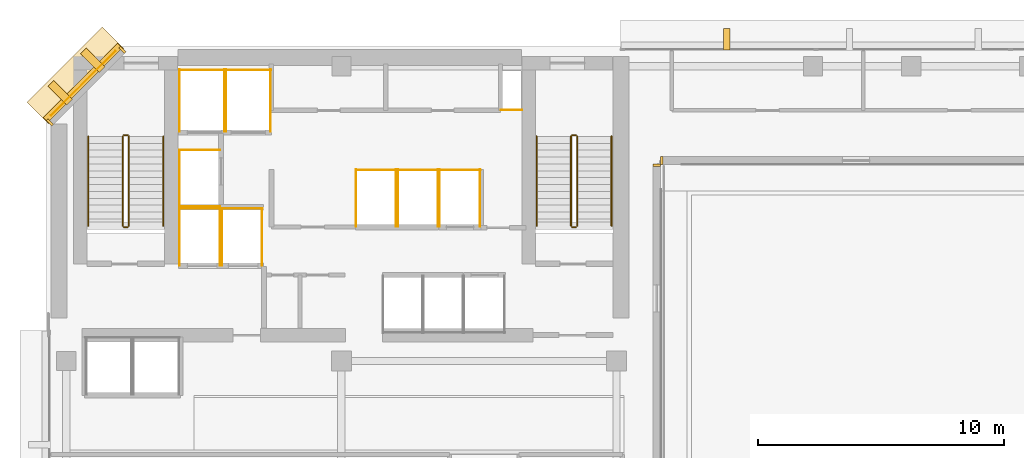
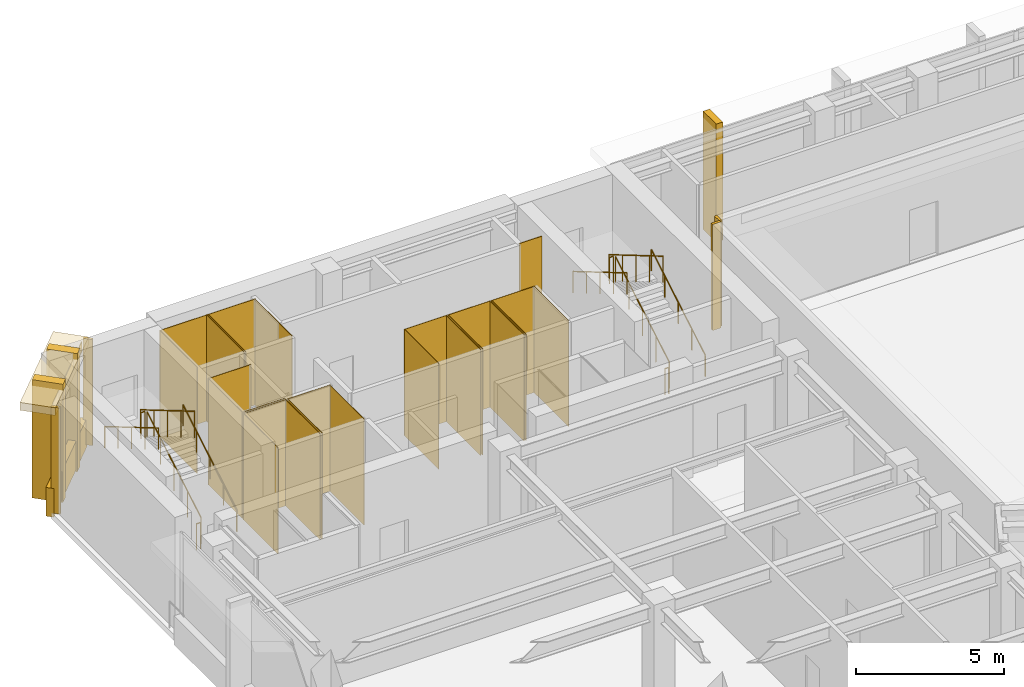
# One storey, part 11 of 12: 35 coverings, 12 railings.
"""IFC4 building model written with IfcOpenShell, lengths in metres."""

from ifc_helpers import new_model, si_unit, direction, frame, origin, origin_2d, place, context, subcontext, project, spatial, polyline, rectangle, circle, outline, extrude, material, layer, layer_set, type_object, element, save


model = new_model("IFC4")

# Units and contexts
model_context = context("Model", 3, precision=1e-05, world=origin(), true_north=direction((0.0, 1.0)))
body_context = subcontext(model_context, "Body", "Model", "MODEL_VIEW")
ifc_project = project(units=[si_unit("LENGTHUNIT", "METRE"), si_unit("AREAUNIT", "SQUARE_METRE"), si_unit("VOLUMEUNIT", "CUBIC_METRE"), si_unit("PLANEANGLEUNIT", "RADIAN"), si_unit("MASSUNIT", "GRAM", prefix="KILO")], contexts=[model_context])

# Site, building, storey
site_placement = place(None, origin())
site = spatial("IfcSite", under=ifc_project, at=site_placement, CompositionType="ELEMENT")
building_placement = place(site_placement, origin())
building = spatial("IfcBuilding", under=site, at=building_placement, Name="Kefirva Bronze Tower", CompositionType="ELEMENT")
storey_placement = place(building_placement, frame((0.0, 0.0, 215.159912109375)))
storey = spatial("IfcBuildingStorey", under=building, at=storey_placement, Name="L52", CompositionType="ELEMENT", Elevation=215.159912109375)

# Coverings
ifc_material_1 = material(Name="Bronze anodised aluminium", Category="aluminium")
ifc_layer_1 = layer(ifc_material_1, 0.02001953125, Name="Bronze anodised aluminium")
ifc_layer_set_1 = layer_set([ifc_layer_1], Name="Bronze anodised aluminium")
covering_type_1 = type_object("IfcCoveringType", Name="Anodised Bronze Spandrel Cladding 20mm", PredefinedType="CLADDING", material=ifc_layer_set_1)
for number, where, z_axis, x_axis, name in (
    (1, (24.840087890625, 41.1650390625, 0.0), (0.0, 0.0, 1.0), (0.0, 1.0, 0.0), "L52 Facade Joint Closure Panel 4E"),
    (2, (25.034912109375, 41.360107421875, 0.0), (0.0, 0.0, 1.0), (1.0, 0.0, 0.0), "L52 Facade Joint Closure Panel 5S"),
):
    element("IfcCovering", number, at=place(storey_placement, frame(where, z_axis=z_axis, x_axis=x_axis)), inside=storey, type_object=covering_type_1, Name=name, PredefinedType="CLADDING", context=body_context, shape_type="SweptSolid", body=[
        extrude(rectangle(XDim=0.10009765625, YDim=0.320068359375, at=origin_2d()), origin(), (0.0, 0.0, 1.0), 4.3701171875),
    ])
covering_1_placement = place(storey_placement, frame((1.492919921875, 44.507080078125, 3.9501953125), z_axis=(0.0, 0.0, 1.0), x_axis=(-0.707106781187, -0.707106781187, 0.0)))
element("IfcCovering", 3, at=covering_1_placement, inside=storey, type_object=covering_type_1, Name="L52 Bronze Spandrel Cladding 11", PredefinedType="CLADDING", context=body_context, shape_type="SweptSolid", body=[
    extrude(rectangle(XDim=3.719482421875, YDim=0.02001953125, at=origin_2d()), origin(), (0.0, 0.0, 1.0), 0.39990234375),
])
for number, where, z_axis, x_axis, name in (
    (4, (3.08837890625, 45.862060546875, 0.0), (0.0, 0.0, 1.0), (-0.707106781187, -0.707106781187, 0.0), "L52 Facade Joint Closure Panel 11S"),
    (5, (0.137939453125, 42.91162109375, 0.0), (0.0, 0.0, 1.0), (-0.707106781187, -0.707106781187, 0.0), "L52 Facade Joint Closure Panel 11E"),
):
    element("IfcCovering", number, at=place(storey_placement, frame(where, z_axis=z_axis, x_axis=x_axis)), inside=storey, type_object=covering_type_1, Name=name, PredefinedType="CLADDING", context=body_context, shape_type="SweptSolid", body=[
        extrude(rectangle(XDim=0.10009765625, YDim=0.320068359375, at=origin_2d()), origin(), (0.0, 0.0, 1.0), 4.3701171875),
    ])
covering_2_placement = place(storey_placement, frame((1.4716796875, 44.5283203125, -0.15966796875), z_axis=(0.0, 0.0, 1.0), x_axis=(-0.707106781187, -0.707106781187, 0.0)))
element("IfcCovering", 6, at=covering_2_placement, inside=storey, type_object=covering_type_1, Name="L52 Streamline Horizontal Spandrel Band 14", PredefinedType="CLADDING", context=body_context, shape_type="SweptSolid", body=[
    extrude(rectangle(XDim=4.28271484375, YDim=0.280029296875, at=origin_2d()), origin(), (0.0, 0.0, 1.0), 1.179931640625),
])
covering_3_placement = place(storey_placement, origin())
element("IfcCovering", 7, at=covering_3_placement, inside=storey, type_object=covering_type_1, Name="L52 Lift FF1 Hoistway Liner N", PredefinedType="CLADDING", context=body_context, shape_type="SweptSolid", body=[
    extrude(outline(polyline([(5.39990234375, 39.389892578125), (7.080078125, 39.389892578125), (7.080078125, 39.409912109375), (5.39990234375, 39.409912109375), (5.39990234375, 39.389892578125)])), origin(), (0.0, 0.0, 1.0), 4.3701171875),
])
covering_4_placement = place(storey_placement, origin())
element("IfcCovering", 8, at=covering_4_placement, inside=storey, type_object=covering_type_1, Name="L52 Lift FF1 Hoistway Liner W", PredefinedType="CLADDING", context=body_context, shape_type="SweptSolid", body=[
    extrude(outline(polyline([(5.409912109375, 37.080078125), (5.429931640625, 37.080078125), (5.429931640625, 39.419921875), (5.409912109375, 39.419921875), (5.409912109375, 37.080078125)])), origin(), (0.0, 0.0, 1.0), 4.3701171875),
])
covering_5_placement = place(storey_placement, origin())
element("IfcCovering", 9, at=covering_5_placement, inside=storey, type_object=covering_type_1, Name="L52 Lift FF1 Hoistway Liner E", PredefinedType="CLADDING", context=body_context, shape_type="SweptSolid", body=[
    extrude(outline(polyline([(7.050048828125, 37.080078125), (7.070068359375, 37.080078125), (7.070068359375, 39.419921875), (7.050048828125, 39.419921875), (7.050048828125, 37.080078125)])), origin(), (0.0, 0.0, 1.0), 4.3701171875),
])
covering_6_placement = place(storey_placement, origin())
element("IfcCovering", 10, at=covering_6_placement, inside=storey, type_object=covering_type_1, Name="L52 Lift FF2 Hoistway Liner N", PredefinedType="CLADDING", context=body_context, shape_type="SweptSolid", body=[
    extrude(outline(polyline([(7.1201171875, 39.389892578125), (8.800048828125, 39.389892578125), (8.800048828125, 39.409912109375), (7.1201171875, 39.409912109375), (7.1201171875, 39.389892578125)])), origin(), (0.0, 0.0, 1.0), 4.3701171875),
])
covering_7_placement = place(storey_placement, origin())
element("IfcCovering", 11, at=covering_7_placement, inside=storey, type_object=covering_type_1, Name="L52 Lift FF2 Hoistway Liner W", PredefinedType="CLADDING", context=body_context, shape_type="SweptSolid", body=[
    extrude(outline(polyline([(7.1298828125, 37.080078125), (7.14990234375, 37.080078125), (7.14990234375, 39.419921875), (7.1298828125, 39.419921875), (7.1298828125, 37.080078125)])), origin(), (0.0, 0.0, 1.0), 4.3701171875),
])
covering_8_placement = place(storey_placement, origin())
element("IfcCovering", 12, at=covering_8_placement, inside=storey, type_object=covering_type_1, Name="L52 Lift FF2 Hoistway Liner E", PredefinedType="CLADDING", context=body_context, shape_type="SweptSolid", body=[
    extrude(outline(polyline([(8.77001953125, 37.080078125), (8.7900390625, 37.080078125), (8.7900390625, 39.419921875), (8.77001953125, 39.419921875), (8.77001953125, 37.080078125)])), origin(), (0.0, 0.0, 1.0), 4.3701171875),
])
covering_9_placement = place(storey_placement, origin())
element("IfcCovering", 13, at=covering_9_placement, inside=storey, type_object=covering_type_1, Name="L52 Lift SV1 Hoistway Liner N", PredefinedType="CLADDING", context=body_context, shape_type="SweptSolid", body=[
    extrude(outline(polyline([(5.39990234375, 45.0400390625), (7.260009765625, 45.0400390625), (7.260009765625, 45.06005859375), (5.39990234375, 45.06005859375), (5.39990234375, 45.0400390625)])), origin(), (0.0, 0.0, 1.0), 4.3701171875),
])
covering_10_placement = place(storey_placement, origin())
element("IfcCovering", 14, at=covering_10_placement, inside=storey, type_object=covering_type_1, Name="L52 Lift SV1 Hoistway Liner W", PredefinedType="CLADDING", context=body_context, shape_type="SweptSolid", body=[
    extrude(outline(polyline([(5.409912109375, 42.530029296875), (5.429931640625, 42.530029296875), (5.429931640625, 45.070068359375), (5.409912109375, 45.070068359375), (5.409912109375, 42.530029296875)])), origin(), (0.0, 0.0, 1.0), 4.3701171875),
])
covering_11_placement = place(storey_placement, origin())
element("IfcCovering", 15, at=covering_11_placement, inside=storey, type_object=covering_type_1, Name="L52 Lift SV1 Hoistway Liner E", PredefinedType="CLADDING", context=body_context, shape_type="SweptSolid", body=[
    extrude(outline(polyline([(7.22998046875, 42.530029296875), (7.25, 42.530029296875), (7.25, 45.070068359375), (7.22998046875, 45.070068359375), (7.22998046875, 42.530029296875)])), origin(), (0.0, 0.0, 1.0), 4.3701171875),
])
covering_12_placement = place(storey_placement, origin())
element("IfcCovering", 16, at=covering_12_placement, inside=storey, type_object=covering_type_1, Name="L52 Lift SV2 Hoistway Liner N", PredefinedType="CLADDING", context=body_context, shape_type="SweptSolid", body=[
    extrude(outline(polyline([(7.280029296875, 45.0400390625), (9.139892578125, 45.0400390625), (9.139892578125, 45.06005859375), (7.280029296875, 45.06005859375), (7.280029296875, 45.0400390625)])), origin(), (0.0, 0.0, 1.0), 4.3701171875),
])
covering_13_placement = place(storey_placement, origin())
element("IfcCovering", 17, at=covering_13_placement, inside=storey, type_object=covering_type_1, Name="L52 Lift SV2 Hoistway Liner W", PredefinedType="CLADDING", context=body_context, shape_type="SweptSolid", body=[
    extrude(outline(polyline([(7.2900390625, 42.530029296875), (7.31005859375, 42.530029296875), (7.31005859375, 45.070068359375), (7.2900390625, 45.070068359375), (7.2900390625, 42.530029296875)])), origin(), (0.0, 0.0, 1.0), 4.3701171875),
])
covering_14_placement = place(storey_placement, origin())
element("IfcCovering", 18, at=covering_14_placement, inside=storey, type_object=covering_type_1, Name="L52 Lift SV2 Hoistway Liner E", PredefinedType="CLADDING", context=body_context, shape_type="SweptSolid", body=[
    extrude(outline(polyline([(9.110107421875, 42.530029296875), (9.1298828125, 42.530029296875), (9.1298828125, 45.070068359375), (9.110107421875, 45.070068359375), (9.110107421875, 42.530029296875)])), origin(), (0.0, 0.0, 1.0), 4.3701171875),
])
covering_15_placement = place(storey_placement, origin())
element("IfcCovering", 19, at=covering_15_placement, inside=storey, type_object=covering_type_1, Name="L52 Lift MP3 Hoistway Liner N", PredefinedType="CLADDING", context=body_context, shape_type="SweptSolid", body=[
    extrude(outline(polyline([(12.580078125, 40.969970703125), (14.25, 40.969970703125), (14.25, 40.989990234375), (12.580078125, 40.989990234375), (12.580078125, 40.969970703125)])), origin(), (0.0, 0.0, 1.0), 4.3701171875),
])
covering_16_placement = place(storey_placement, origin())
element("IfcCovering", 20, at=covering_16_placement, inside=storey, type_object=covering_type_1, Name="L52 Lift MP3 Hoistway Liner W", PredefinedType="CLADDING", context=body_context, shape_type="SweptSolid", body=[
    extrude(outline(polyline([(12.590087890625, 38.659912109375), (12.610107421875, 38.659912109375), (12.610107421875, 41.0), (12.590087890625, 41.0), (12.590087890625, 38.659912109375)])), origin(), (0.0, 0.0, 1.0), 4.3701171875),
])
covering_17_placement = place(storey_placement, origin())
element("IfcCovering", 21, at=covering_17_placement, inside=storey, type_object=covering_type_1, Name="L52 Lift MP3 Hoistway Liner E", PredefinedType="CLADDING", context=body_context, shape_type="SweptSolid", body=[
    extrude(outline(polyline([(14.219970703125, 38.659912109375), (14.239990234375, 38.659912109375), (14.239990234375, 41.0), (14.219970703125, 41.0), (14.219970703125, 38.659912109375)])), origin(), (0.0, 0.0, 1.0), 4.3701171875),
])
covering_18_placement = place(storey_placement, origin())
element("IfcCovering", 22, at=covering_18_placement, inside=storey, type_object=covering_type_1, Name="L52 Lift MP4 Hoistway Liner N", PredefinedType="CLADDING", context=body_context, shape_type="SweptSolid", body=[
    extrude(outline(polyline([(14.280029296875, 40.969970703125), (15.949951171875, 40.969970703125), (15.949951171875, 40.989990234375), (14.280029296875, 40.989990234375), (14.280029296875, 40.969970703125)])), origin(), (0.0, 0.0, 1.0), 4.3701171875),
])
covering_19_placement = place(storey_placement, origin())
element("IfcCovering", 23, at=covering_19_placement, inside=storey, type_object=covering_type_1, Name="L52 Lift MP4 Hoistway Liner W", PredefinedType="CLADDING", context=body_context, shape_type="SweptSolid", body=[
    extrude(outline(polyline([(14.2900390625, 38.659912109375), (14.31005859375, 38.659912109375), (14.31005859375, 41.0), (14.2900390625, 41.0), (14.2900390625, 38.659912109375)])), origin(), (0.0, 0.0, 1.0), 4.3701171875),
])
covering_20_placement = place(storey_placement, origin())
element("IfcCovering", 24, at=covering_20_placement, inside=storey, type_object=covering_type_1, Name="L52 Lift MP4 Hoistway Liner E", PredefinedType="CLADDING", context=body_context, shape_type="SweptSolid", body=[
    extrude(outline(polyline([(15.919921875, 38.659912109375), (15.93994140625, 38.659912109375), (15.93994140625, 41.0), (15.919921875, 41.0), (15.919921875, 38.659912109375)])), origin(), (0.0, 0.0, 1.0), 4.3701171875),
])
covering_21_placement = place(storey_placement, origin())
element("IfcCovering", 25, at=covering_21_placement, inside=storey, type_object=covering_type_1, Name="L52 Lift HP2 Hoistway Liner N", PredefinedType="CLADDING", context=body_context, shape_type="SweptSolid", body=[
    extrude(outline(polyline([(15.97998046875, 40.969970703125), (17.669921875, 40.969970703125), (17.669921875, 40.989990234375), (15.97998046875, 40.989990234375), (15.97998046875, 40.969970703125)])), origin(), (0.0, 0.0, 1.0), 4.3701171875),
])
covering_22_placement = place(storey_placement, origin())
element("IfcCovering", 26, at=covering_22_placement, inside=storey, type_object=covering_type_1, Name="L52 Lift HP2 Hoistway Liner W", PredefinedType="CLADDING", context=body_context, shape_type="SweptSolid", body=[
    extrude(outline(polyline([(15.989990234375, 38.659912109375), (16.010009765625, 38.659912109375), (16.010009765625, 41.0), (15.989990234375, 41.0), (15.989990234375, 38.659912109375)])), origin(), (0.0, 0.0, 1.0), 4.3701171875),
])
covering_23_placement = place(storey_placement, origin())
element("IfcCovering", 27, at=covering_23_placement, inside=storey, type_object=covering_type_1, Name="L52 Lift HP2 Hoistway Liner E", PredefinedType="CLADDING", context=body_context, shape_type="SweptSolid", body=[
    extrude(outline(polyline([(17.639892578125, 38.659912109375), (17.659912109375, 38.659912109375), (17.659912109375, 41.0), (17.639892578125, 41.0), (17.639892578125, 38.659912109375)])), origin(), (0.0, 0.0, 1.0), 4.3701171875),
])
covering_24_placement = place(storey_placement, origin())
element("IfcCovering", 28, at=covering_24_placement, inside=storey, type_object=covering_type_1, Name="L52 Lift HP3 Hoistway Liner N", PredefinedType="CLADDING", context=body_context, shape_type="SweptSolid", body=[
    extrude(outline(polyline([(5.39990234375, 41.77001953125), (7.080078125, 41.77001953125), (7.080078125, 41.7900390625), (5.39990234375, 41.7900390625), (5.39990234375, 41.77001953125)])), origin(), (0.0, 0.0, 1.0), 4.3701171875),
])
covering_25_placement = place(storey_placement, origin())
element("IfcCovering", 29, at=covering_25_placement, inside=storey, type_object=covering_type_1, Name="L52 Lift HP3 Hoistway Liner S", PredefinedType="CLADDING", context=body_context, shape_type="SweptSolid", body=[
    extrude(outline(polyline([(5.39990234375, 39.469970703125), (7.080078125, 39.469970703125), (7.080078125, 39.489990234375), (5.39990234375, 39.489990234375), (5.39990234375, 39.469970703125)])), origin(), (0.0, 0.0, 1.0), 4.3701171875),
])
covering_26_placement = place(storey_placement, origin())
element("IfcCovering", 30, at=covering_26_placement, inside=storey, type_object=covering_type_1, Name="L52 Lift HP3 Hoistway Liner W", PredefinedType="CLADDING", context=body_context, shape_type="SweptSolid", body=[
    extrude(outline(polyline([(5.409912109375, 39.4599609375), (5.429931640625, 39.4599609375), (5.429931640625, 41.800048828125), (5.409912109375, 41.800048828125), (5.409912109375, 39.4599609375)])), origin(), (0.0, 0.0, 1.0), 4.3701171875),
])
covering_27_placement = place(storey_placement, origin())
element("IfcCovering", 31, at=covering_27_placement, inside=storey, type_object=covering_type_1, Name="L52 Core MEP Riser Shaft Liner South", PredefinedType="CLADDING", context=body_context, shape_type="SweptSolid", body=[
    extrude(outline(polyline([(18.47998046875, 43.39990234375), (19.360107421875, 43.39990234375), (19.360107421875, 43.429931640625), (18.47998046875, 43.429931640625), (18.47998046875, 43.39990234375)])), origin(), (0.0, 0.0, 1.0), 4.3701171875),
])

# Railings
ifc_material_2 = material(Name="Stainless steel 316", Category="steel")
railing_type_1 = type_object("IfcRailingType", Name="Interior Stair Guardrail 1100mm", PredefinedType="GUARDRAIL", material=ifc_material_2)
railing_1_placement = place(storey_placement, frame((3.35009765625, 38.699951171875, 0.1650390625)))
element("IfcRailing", 32, at=railing_1_placement, inside=storey, type_object=railing_type_1, Name="L52 ST-1 stair guard 1", PredefinedType="GUARDRAIL", context=body_context, shape_type="SweptSolid", body=[
    extrude(circle(Radius=0.02392578125, at=origin_2d()), frame((0.0, 0.0, 1.076171875), z_axis=(0.0, 0.861544779993, 0.507681585313), x_axis=(-1.0, 0.0, 0.0)), (0.0, 0.0, 1.0), 4.22509765625),
    extrude(circle(Radius=0.02099609375, at=origin_2d()), origin(), (0.0, 0.0, 1.0), 1.052001953125),
    extrude(circle(Radius=0.02099609375, at=origin_2d()), frame((0.0, 0.91015625, 0.5361328125)), (0.0, 0.0, 1.0), 1.052001953125),
    extrude(circle(Radius=0.02099609375, at=origin_2d()), frame((0.0, 1.820068359375, 1.072509765625)), (0.0, 0.0, 1.0), 1.052001953125),
    extrude(circle(Radius=0.02099609375, at=origin_2d()), frame((0.0, 2.72998046875, 1.60888671875)), (0.0, 0.0, 1.0), 1.052001953125),
    extrude(circle(Radius=0.02099609375, at=origin_2d()), frame((0.0, 3.64013671875, 2.14501953125)), (0.0, 0.0, 1.0), 1.052001953125),
])
railing_2_placement = place(storey_placement, frame((3.300048828125, 42.389892578125, 2.31005859375)))
element("IfcRailing", 33, at=railing_2_placement, inside=storey, type_object=railing_type_1, Name="L52 ST-1 stair guard 2", PredefinedType="GUARDRAIL", context=body_context, shape_type="SweptSolid", body=[
    extrude(circle(Radius=0.02392578125, at=origin_2d()), frame((0.0, 0.0, 1.076171875), z_axis=(-1.0, 0.0, 0.0), x_axis=(0.0, -1.0, 0.0)), (0.0, 0.0, 1.0), 0.150146484375),
    extrude(circle(Radius=0.02099609375, at=origin_2d()), origin(), (0.0, 0.0, 1.0), 1.052001953125),
    extrude(circle(Radius=0.02099609375, at=origin_2d()), frame((-0.150146484375, 0.0, 0.0)), (0.0, 0.0, 1.0), 1.052001953125),
])
railing_3_placement = place(storey_placement, frame((3.10009765625, 42.340087890625, 2.47509765625)))
element("IfcRailing", 34, at=railing_3_placement, inside=storey, type_object=railing_type_1, Name="L52 ST-1 stair guard 3", PredefinedType="GUARDRAIL", context=body_context, shape_type="SweptSolid", body=[
    extrude(circle(Radius=0.02392578125, at=origin_2d()), frame((0.0, 0.0, 1.076171875), z_axis=(0.0, -0.861544779993, 0.507681585313), x_axis=(1.0, 0.0, 0.0)), (0.0, 0.0, 1.0), 4.22509765625),
    extrude(circle(Radius=0.02099609375, at=origin_2d()), origin(), (0.0, 0.0, 1.0), 1.052001953125),
    extrude(circle(Radius=0.02099609375, at=origin_2d()), frame((0.0, -0.91015625, 0.5361328125)), (0.0, 0.0, 1.0), 1.052001953125),
    extrude(circle(Radius=0.02099609375, at=origin_2d()), frame((0.0, -1.820068359375, 1.072509765625)), (0.0, 0.0, 1.0), 1.052001953125),
    extrude(circle(Radius=0.02099609375, at=origin_2d()), frame((0.0, -2.72998046875, 1.60888671875)), (0.0, 0.0, 1.0), 1.052001953125),
    extrude(circle(Radius=0.02099609375, at=origin_2d()), frame((0.0, -3.64013671875, 2.14501953125)), (0.0, 0.0, 1.0), 1.052001953125),
])
railing_4_placement = place(storey_placement, frame((3.300048828125, 38.64990234375, 0.0)))
element("IfcRailing", 35, at=railing_4_placement, inside=storey, type_object=railing_type_1, Name="L52 ST-1 stair guard 4", PredefinedType="GUARDRAIL", context=body_context, shape_type="SweptSolid", body=[
    extrude(circle(Radius=0.02392578125, at=origin_2d()), frame((0.0, 0.0, 1.076171875), z_axis=(-1.0, 0.0, 0.0), x_axis=(0.0, -1.0, 0.0)), (0.0, 0.0, 1.0), 0.150146484375),
    extrude(circle(Radius=0.02099609375, at=origin_2d()), origin(), (0.0, 0.0, 1.0), 1.052001953125),
    extrude(circle(Radius=0.02099609375, at=origin_2d()), frame((-0.150146484375, 0.0, 0.0)), (0.0, 0.0, 1.0), 1.052001953125),
])
railing_5_placement = place(storey_placement, frame((21.60009765625, 38.699951171875, 0.1650390625)))
element("IfcRailing", 36, at=railing_5_placement, inside=storey, type_object=railing_type_1, Name="L52 ST-2 stair guard 1", PredefinedType="GUARDRAIL", context=body_context, shape_type="SweptSolid", body=[
    extrude(circle(Radius=0.02392578125, at=origin_2d()), frame((0.0, 0.0, 1.076171875), z_axis=(0.0, 0.861544779993, 0.507681585313), x_axis=(-1.0, 0.0, 0.0)), (0.0, 0.0, 1.0), 4.22509765625),
    extrude(circle(Radius=0.02099609375, at=origin_2d()), origin(), (0.0, 0.0, 1.0), 1.052001953125),
    extrude(circle(Radius=0.02099609375, at=origin_2d()), frame((0.0, 0.91015625, 0.5361328125)), (0.0, 0.0, 1.0), 1.052001953125),
    extrude(circle(Radius=0.02099609375, at=origin_2d()), frame((0.0, 1.820068359375, 1.072509765625)), (0.0, 0.0, 1.0), 1.052001953125),
    extrude(circle(Radius=0.02099609375, at=origin_2d()), frame((0.0, 2.72998046875, 1.60888671875)), (0.0, 0.0, 1.0), 1.052001953125),
    extrude(circle(Radius=0.02099609375, at=origin_2d()), frame((0.0, 3.64013671875, 2.14501953125)), (0.0, 0.0, 1.0), 1.052001953125),
])
railing_6_placement = place(storey_placement, frame((21.550048828125, 42.389892578125, 2.31005859375)))
element("IfcRailing", 37, at=railing_6_placement, inside=storey, type_object=railing_type_1, Name="L52 ST-2 stair guard 2", PredefinedType="GUARDRAIL", context=body_context, shape_type="SweptSolid", body=[
    extrude(circle(Radius=0.02392578125, at=origin_2d()), frame((0.0, 0.0, 1.076171875), z_axis=(-1.0, 0.0, 0.0), x_axis=(0.0, -1.0, 0.0)), (0.0, 0.0, 1.0), 0.150146484375),
    extrude(circle(Radius=0.02099609375, at=origin_2d()), origin(), (0.0, 0.0, 1.0), 1.052001953125),
    extrude(circle(Radius=0.02099609375, at=origin_2d()), frame((-0.150146484375, 0.0, 0.0)), (0.0, 0.0, 1.0), 1.052001953125),
])
railing_7_placement = place(storey_placement, frame((21.35009765625, 42.340087890625, 2.47509765625)))
element("IfcRailing", 38, at=railing_7_placement, inside=storey, type_object=railing_type_1, Name="L52 ST-2 stair guard 3", PredefinedType="GUARDRAIL", context=body_context, shape_type="SweptSolid", body=[
    extrude(circle(Radius=0.02392578125, at=origin_2d()), frame((0.0, 0.0, 1.076171875), z_axis=(0.0, -0.861544779993, 0.507681585313), x_axis=(1.0, 0.0, 0.0)), (0.0, 0.0, 1.0), 4.22509765625),
    extrude(circle(Radius=0.02099609375, at=origin_2d()), origin(), (0.0, 0.0, 1.0), 1.052001953125),
    extrude(circle(Radius=0.02099609375, at=origin_2d()), frame((0.0, -0.91015625, 0.5361328125)), (0.0, 0.0, 1.0), 1.052001953125),
    extrude(circle(Radius=0.02099609375, at=origin_2d()), frame((0.0, -1.820068359375, 1.072509765625)), (0.0, 0.0, 1.0), 1.052001953125),
    extrude(circle(Radius=0.02099609375, at=origin_2d()), frame((0.0, -2.72998046875, 1.60888671875)), (0.0, 0.0, 1.0), 1.052001953125),
    extrude(circle(Radius=0.02099609375, at=origin_2d()), frame((0.0, -3.64013671875, 2.14501953125)), (0.0, 0.0, 1.0), 1.052001953125),
])
railing_8_placement = place(storey_placement, frame((21.550048828125, 38.64990234375, 0.0)))
element("IfcRailing", 39, at=railing_8_placement, inside=storey, type_object=railing_type_1, Name="L52 ST-2 stair guard 4", PredefinedType="GUARDRAIL", context=body_context, shape_type="SweptSolid", body=[
    extrude(circle(Radius=0.02392578125, at=origin_2d()), frame((0.0, 0.0, 1.076171875), z_axis=(-1.0, 0.0, 0.0), x_axis=(0.0, -1.0, 0.0)), (0.0, 0.0, 1.0), 0.150146484375),
    extrude(circle(Radius=0.02099609375, at=origin_2d()), origin(), (0.0, 0.0, 1.0), 1.052001953125),
    extrude(circle(Radius=0.02099609375, at=origin_2d()), frame((-0.150146484375, 0.0, 0.0)), (0.0, 0.0, 1.0), 1.052001953125),
])
railing_type_2 = type_object("IfcRailingType", Name="Stair Pitch Handrail 900mm", PredefinedType="HANDRAIL", material=ifc_material_2)
railing_9_placement = place(storey_placement, frame((4.75, 38.699951171875, 0.1650390625)))
element("IfcRailing", 40, at=railing_9_placement, inside=storey, type_object=railing_type_2, Name="L52 ST-1 stair handrail 1", PredefinedType="HANDRAIL", context=body_context, shape_type="SweptSolid", body=[
    extrude(circle(Radius=0.02392578125, at=origin_2d()), frame((0.0, 0.0, 0.8759765625), z_axis=(0.0, 0.861544779993, 0.507681585313), x_axis=(-1.0, 0.0, 0.0)), (0.0, 0.0, 1.0), 4.22509765625),
    extrude(circle(Radius=0.02099609375, at=origin_2d()), origin(), (0.0, 0.0, 1.0), 0.851806640625),
    extrude(circle(Radius=0.02099609375, at=origin_2d()), frame((0.0, 0.91015625, 0.5361328125)), (0.0, 0.0, 1.0), 0.851806640625),
    extrude(circle(Radius=0.02099609375, at=origin_2d()), frame((0.0, 1.820068359375, 1.072509765625)), (0.0, 0.0, 1.0), 0.851806640625),
    extrude(circle(Radius=0.02099609375, at=origin_2d()), frame((0.0, 2.72998046875, 1.60888671875)), (0.0, 0.0, 1.0), 0.851806640625),
    extrude(circle(Radius=0.02099609375, at=origin_2d()), frame((0.0, 3.64013671875, 2.14501953125)), (0.0, 0.0, 1.0), 0.851806640625),
])
railing_10_placement = place(storey_placement, frame((1.699951171875, 42.340087890625, 2.47509765625)))
element("IfcRailing", 41, at=railing_10_placement, inside=storey, type_object=railing_type_2, Name="L52 ST-1 stair handrail 2", PredefinedType="HANDRAIL", context=body_context, shape_type="SweptSolid", body=[
    extrude(circle(Radius=0.02392578125, at=origin_2d()), frame((0.0, 0.0, 0.8759765625), z_axis=(0.0, -0.861544779993, 0.507681585313), x_axis=(1.0, 0.0, 0.0)), (0.0, 0.0, 1.0), 4.22509765625),
    extrude(circle(Radius=0.02099609375, at=origin_2d()), origin(), (0.0, 0.0, 1.0), 0.851806640625),
    extrude(circle(Radius=0.02099609375, at=origin_2d()), frame((0.0, -0.91015625, 0.5361328125)), (0.0, 0.0, 1.0), 0.851806640625),
    extrude(circle(Radius=0.02099609375, at=origin_2d()), frame((0.0, -1.820068359375, 1.072509765625)), (0.0, 0.0, 1.0), 0.851806640625),
    extrude(circle(Radius=0.02099609375, at=origin_2d()), frame((0.0, -2.72998046875, 1.60888671875)), (0.0, 0.0, 1.0), 0.851806640625),
    extrude(circle(Radius=0.02099609375, at=origin_2d()), frame((0.0, -3.64013671875, 2.14501953125)), (0.0, 0.0, 1.0), 0.851806640625),
])
railing_11_placement = place(storey_placement, frame((23.0, 38.699951171875, 0.1650390625)))
element("IfcRailing", 42, at=railing_11_placement, inside=storey, type_object=railing_type_2, Name="L52 ST-2 stair handrail 1", PredefinedType="HANDRAIL", context=body_context, shape_type="SweptSolid", body=[
    extrude(circle(Radius=0.02392578125, at=origin_2d()), frame((0.0, 0.0, 0.8759765625), z_axis=(0.0, 0.861544779993, 0.507681585313), x_axis=(-1.0, 0.0, 0.0)), (0.0, 0.0, 1.0), 4.22509765625),
    extrude(circle(Radius=0.02099609375, at=origin_2d()), origin(), (0.0, 0.0, 1.0), 0.851806640625),
    extrude(circle(Radius=0.02099609375, at=origin_2d()), frame((0.0, 0.91015625, 0.5361328125)), (0.0, 0.0, 1.0), 0.851806640625),
    extrude(circle(Radius=0.02099609375, at=origin_2d()), frame((0.0, 1.820068359375, 1.072509765625)), (0.0, 0.0, 1.0), 0.851806640625),
    extrude(circle(Radius=0.02099609375, at=origin_2d()), frame((0.0, 2.72998046875, 1.60888671875)), (0.0, 0.0, 1.0), 0.851806640625),
    extrude(circle(Radius=0.02099609375, at=origin_2d()), frame((0.0, 3.64013671875, 2.14501953125)), (0.0, 0.0, 1.0), 0.851806640625),
])
railing_12_placement = place(storey_placement, frame((19.949951171875, 42.340087890625, 2.47509765625)))
element("IfcRailing", 43, at=railing_12_placement, inside=storey, type_object=railing_type_2, Name="L52 ST-2 stair handrail 2", PredefinedType="HANDRAIL", context=body_context, shape_type="SweptSolid", body=[
    extrude(circle(Radius=0.02392578125, at=origin_2d()), frame((0.0, 0.0, 0.8759765625), z_axis=(0.0, -0.861544779993, 0.507681585313), x_axis=(1.0, 0.0, 0.0)), (0.0, 0.0, 1.0), 4.22509765625),
    extrude(circle(Radius=0.02099609375, at=origin_2d()), origin(), (0.0, 0.0, 1.0), 0.851806640625),
    extrude(circle(Radius=0.02099609375, at=origin_2d()), frame((0.0, -0.91015625, 0.5361328125)), (0.0, 0.0, 1.0), 0.851806640625),
    extrude(circle(Radius=0.02099609375, at=origin_2d()), frame((0.0, -1.820068359375, 1.072509765625)), (0.0, 0.0, 1.0), 0.851806640625),
    extrude(circle(Radius=0.02099609375, at=origin_2d()), frame((0.0, -2.72998046875, 1.60888671875)), (0.0, 0.0, 1.0), 0.851806640625),
    extrude(circle(Radius=0.02099609375, at=origin_2d()), frame((0.0, -3.64013671875, 2.14501953125)), (0.0, 0.0, 1.0), 0.851806640625),
])

# Coverings
ifc_layer_2 = layer(ifc_material_1, 0.179931640625, Name="Bronze anodised aluminium")
ifc_layer_set_2 = layer_set([ifc_layer_2], Name="Bronze anodised aluminium")
covering_type_2 = type_object("IfcCoveringType", Name="Streamline Bronze Sunshade Eyebrow Cladding 180mm", PredefinedType="CLADDING", material=ifc_layer_set_2)
covering_28_placement = place(storey_placement, frame((1.1748046875, 44.8251953125, 4.05029296875), z_axis=(0.0, 0.0, 1.0), x_axis=(-0.707106781187, -0.707106781187, 0.0)))
element("IfcCovering", 44, at=covering_28_placement, inside=storey, type_object=covering_type_2, Name="L52 Streamline Bronze Sunshade Eyebrow 14", PredefinedType="CLADDING", context=body_context, shape_type="SweptSolid", body=[
    extrude(rectangle(XDim=4.322509765625, YDim=1.239990234375, at=origin_2d()), origin(), (0.0, 0.0, 1.0), 0.320068359375),
])
ifc_layer_3 = layer(ifc_material_1, 0.260009765625, Name="Bronze anodised aluminium")
ifc_layer_set_3 = layer_set([ifc_layer_3], Name="Bronze anodised aluminium")
covering_type_3 = type_object("IfcCoveringType", Name="Unbroken Bronze Buttress Fin Cladding 260mm", PredefinedType="CLADDING", material=ifc_layer_set_3)
covering_29_placement = place(storey_placement, frame((27.68798828125, 46.300048828125, -0.25), z_axis=(0.0, 0.0, 1.0), x_axis=(-1.0, 0.0, 0.0)))
element("IfcCovering", 45, at=covering_29_placement, inside=storey, type_object=covering_type_3, Name="L52 Unbroken Vertical Bronze Rib Fin 20", PredefinedType="CLADDING", context=body_context, shape_type="SweptSolid", body=[
    extrude(rectangle(XDim=0.260009765625, YDim=0.8798828125, at=origin_2d()), origin(), (0.0, 0.0, 1.0), 4.8701171875),
])
for number, where, z_axis, x_axis, name in (
    (46, (1.877197265625, 45.44287109375, -0.25), (0.0, 0.0, 1.0), (-0.707106781187, -0.707106781187, 0.0), "L52 Chamfered Corner Buttress Fin Cladding 21"),
    (47, (0.55712890625, 44.122802734375, -0.25), (0.0, 0.0, 1.0), (-0.707106781187, -0.707106781187, 0.0), "L52 Chamfered Corner Buttress Fin Cladding 22"),
):
    element("IfcCovering", number, at=place(storey_placement, frame(where, z_axis=z_axis, x_axis=x_axis)), inside=storey, type_object=covering_type_3, Name=name, PredefinedType="CLADDING", context=body_context, shape_type="SweptSolid", body=[
        extrude(rectangle(XDim=0.340087890625, YDim=1.080078125, at=origin_2d()), origin(), (0.0, 0.0, 1.0), 4.8701171875),
    ])

save(model, "model.ifc")
